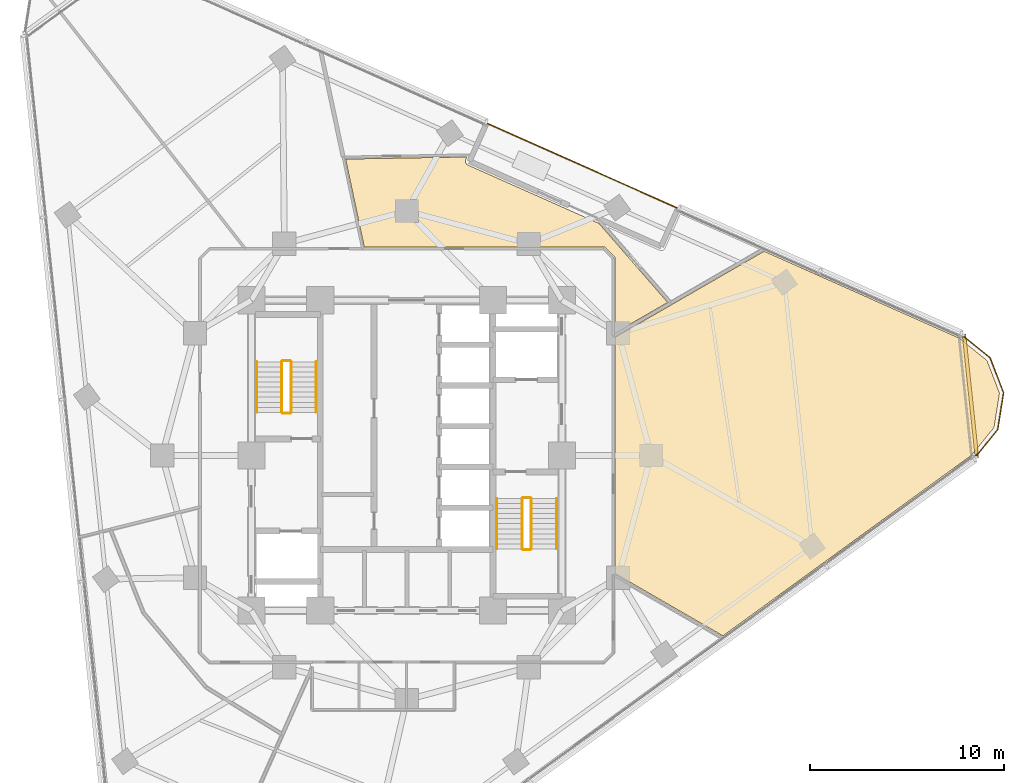
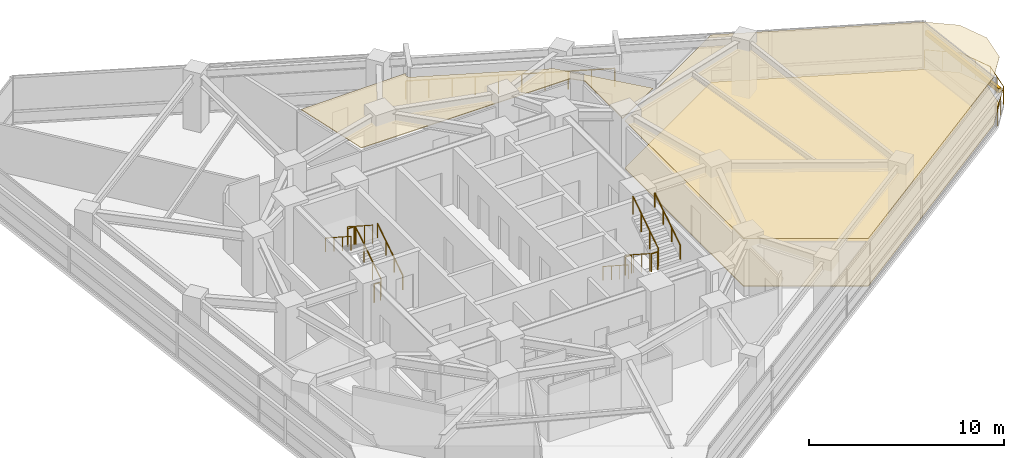
# One storey, part 13 of 14: 14 railings, 3 coverings, 1 shading device.
"""IFC4 building model written with IfcOpenShell, lengths in metres."""

from ifc_helpers import new_model, si_unit, direction, frame, origin, origin_2d, place, context, subcontext, project, spatial, polyline, rectangle, circle, outline, extrude, material, layer, layer_set, type_object, element, save


model = new_model("IFC4")

# Units and contexts
model_context = context("Model", 3, precision=1e-05, world=origin(), true_north=direction((0.0, 1.0)))
body_context = subcontext(model_context, "Body", "Model", "MODEL_VIEW")
ifc_project = project(units=[si_unit("LENGTHUNIT", "METRE"), si_unit("AREAUNIT", "SQUARE_METRE"), si_unit("VOLUMEUNIT", "CUBIC_METRE"), si_unit("PLANEANGLEUNIT", "RADIAN"), si_unit("MASSUNIT", "GRAM", prefix="KILO")], contexts=[model_context])

# Site, building, storey
site_placement = place(None, origin())
site = spatial("IfcSite", under=ifc_project, at=site_placement, CompositionType="ELEMENT")
building_placement = place(site_placement, origin())
building = spatial("IfcBuilding", under=site, at=building_placement, Name="Terralouvre Media Tower", CompositionType="ELEMENT")
storey_placement = place(building_placement, frame((0.0, 0.0, 176.800048828125)))
storey = spatial("IfcBuildingStorey", under=building, at=storey_placement, Name="L45", CompositionType="ELEMENT", Elevation=176.800048828125)

# Coverings
ifc_material_1 = material(Name="Resilient elastomer acoustic broadcast studio flooring")
ifc_layer_1 = layer(ifc_material_1, 0.050048828125, Name="Broadcast Studio Acoustic Floating Floor FL-AC1")
ifc_layer_set_1 = layer_set([ifc_layer_1], Name="Resilient elastomer acoustic broadcast studio flooring")
covering_type_1 = type_object("IfcCoveringType", Name="Broadcast Studio Acoustic Floating Floor FL-AC1", PredefinedType="FLOORING", material=ifc_layer_set_1)
covering_1_placement = place(storey_placement, frame((0.0, 0.0, 0.0), z_axis=(0.0, 0.0, 1.0), x_axis=(0.809016994375, 0.587785252292, 0.0)))
element("IfcCovering", 1, at=covering_1_placement, inside=storey, type_object=covering_type_1, Name="L45 Podcast Editing Creative Workshop 4 Acoustic Floating Floor", PredefinedType="FLOORING", context=body_context, shape_type="SweptSolid", body=[
    extrude(outline(polyline([(21.08984375, -2.31689453125), (15.61767578125, -1.7421875), (12.27734375, -1.390625), (5.116455078125, -11.24658203125), (7.724853515625, -17.105224609375), (23.571044921875, -17.105224609375), (25.335693359375, -16.63232421875), (26.60693359375, -15.36181640625), (27.072509765625, -13.6259765625), (26.598876953125, -11.860595703125), (21.08984375, -2.31689453125)])), origin(), (0.0, 0.0, 1.0), 0.050048828125),
])
ifc_material_2 = material(Name="Perforated aluminium acoustic ceiling baffle", Category="aluminium")
ifc_layer_2 = layer(ifc_material_2, 0.0400390625, Name="Perforated Acoustic Metal Tile Ceiling CL-AC1")
ifc_layer_set_2 = layer_set([ifc_layer_2], Name="Perforated aluminium acoustic ceiling baffle")
covering_type_2 = type_object("IfcCoveringType", Name="Perforated Acoustic Metal Tile Ceiling CL-AC1", PredefinedType="CEILING", material=ifc_layer_set_2)
covering_2_placement = place(storey_placement, frame((0.0, 0.0, 2.97998046875), z_axis=(0.0, 0.0, 1.0), x_axis=(0.809016994375, 0.587785252292, 0.0)))
element("IfcCovering", 2, at=covering_2_placement, inside=storey, type_object=covering_type_2, Name="L45 Podcast Editing Creative Workshop 4 Acoustic Ceiling", PredefinedType="CEILING", context=body_context, shape_type="SweptSolid", body=[
    extrude(outline(polyline([(21.08984375, -2.31689453125), (15.61767578125, -1.7421875), (12.27734375, -1.390625), (5.116455078125, -11.24658203125), (7.724853515625, -17.105224609375), (23.571044921875, -17.105224609375), (25.335693359375, -16.63232421875), (26.60693359375, -15.36181640625), (27.072509765625, -13.6259765625), (26.598876953125, -11.860595703125), (21.08984375, -2.31689453125)])), origin(), (0.0, 0.0, 1.0), 0.0400390625),
])
covering_3_placement = place(storey_placement, frame((0.0, 0.0, 2.97998046875), z_axis=(0.0, 0.0, 1.0), x_axis=(0.809016994375, 0.587785252292, 0.0)))
element("IfcCovering", 3, at=covering_3_placement, inside=storey, type_object=covering_type_2, Name="L45 Barista Coffee Tea Pantry 6 Acoustic Ceiling", PredefinedType="CEILING", context=body_context, shape_type="SweptSolid", body=[
    extrude(outline(polyline([(6.433837890625, 14.2041015625), (4.552490234375, 9.97998046875), (14.5302734375, 2.73095703125), (14.537841796875, 2.724853515625), (14.544921875, 2.718017578125), (14.55126953125, 2.71044921875), (14.556640625, 2.7021484375), (14.561279296875, 2.693603515625), (14.565185546875, 2.6845703125), (14.568115234375, 2.67529296875), (14.570068359375, 2.665771484375), (14.680908203125, 1.96728515625), (14.681884765625, 1.95751953125), (14.681884765625, 1.94775390625), (14.68115234375, 1.93798828125), (14.67919921875, 1.92822265625), (14.676513671875, 1.918701171875), (14.6728515625, 1.90966796875), (14.668212890625, 1.901123046875), (14.662841796875, 1.892822265625), (12.4130859375, -1.203857421875), (15.51806640625, -1.530517578125), (15.047607421875, 3.847900390625), (11.351318359375, 10.248779296875), (11.345947265625, 10.259765625), (11.341552734375, 10.2705078125), (11.3369140625, 10.28125), (11.332763671875, 10.29248046875), (11.32958984375, 10.303466796875), (11.328125, 10.309814453125), (11.325439453125, 10.321533203125), (11.32373046875, 10.333251953125), (11.322509765625, 10.34521484375), (11.322021484375, 10.3544921875), (11.322265625, 10.36376953125), (11.323486328125, 10.37548828125), (11.324462890625, 10.386962890625), (11.325927734375, 10.398193359375), (11.328369140625, 10.41015625), (11.330322265625, 10.417724609375), (11.33349609375, 10.428955078125), (11.33642578125, 10.4375), (11.340087890625, 10.446044921875), (11.34521484375, 10.456298828125), (11.349853515625, 10.465576171875), (11.35400390625, 10.4736328125), (11.35888671875, 10.48095703125), (11.365966796875, 10.49072265625), (11.37109375, 10.497314453125), (11.37890625, 10.50634765625), (11.384765625, 10.512451171875), (11.393310546875, 10.520751953125), (11.40087890625, 10.527587890625), (11.40966796875, 10.53466796875), (11.41650390625, 10.539794921875), (11.426025390625, 10.546142578125), (11.43212890625, 10.550048828125), (11.55322265625, 10.61962890625), (6.433837890625, 14.2041015625)])), origin(), (0.0, 0.0, 1.0), 0.0400390625),
])

# Railings
ifc_material_3 = material(Name="Stainless steel 316 handrail and balustrade", Category="steel")
ifc_layer_3 = layer(ifc_material_3, 0.06005859375, Name="Roof Edge Safety Guardrail GR-ROOF1")
ifc_layer_set_3 = layer_set([ifc_layer_3], Name="Stainless steel 316 handrail and balustrade")
railing_type_1 = type_object("IfcRailingType", Name="Roof Edge Safety Guardrail GR-ROOF1", PredefinedType="GUARDRAIL", material=ifc_layer_set_3)
railing_1_placement = place(storey_placement, frame((13.98974609375, 12.736328125, 0.0)))
element("IfcRailing", 4, at=railing_1_placement, inside=storey, type_object=railing_type_1, Name="L45 SG Outer Edge Glass Balustrade", PredefinedType="GUARDRAIL", context=body_context, shape_type="SweptSolid", body=[
    extrude(circle(Radius=0.02392578125, at=origin_2d()), frame((0.0, 0.0, 1.1259765625), z_axis=(-0.913541943449, 0.406744535991, 0.0), x_axis=(-0.406744535991, -0.913541943449, 0.0)), (0.0, 0.0, 1.0), 10.800048828125),
    extrude(circle(Radius=0.02099609375, at=origin_2d()), origin(), (0.0, 0.0, 1.0), 1.101806640625),
    extrude(circle(Radius=0.02099609375, at=origin_2d()), frame((-1.09619140625, 0.488037109375, 0.0)), (0.0, 0.0, 1.0), 1.101806640625),
    extrude(circle(Radius=0.02099609375, at=origin_2d()), frame((-2.1923828125, 0.97607421875, 0.0)), (0.0, 0.0, 1.0), 1.101806640625),
    extrude(circle(Radius=0.02099609375, at=origin_2d()), frame((-3.288818359375, 1.46435546875, 0.0)), (0.0, 0.0, 1.0), 1.101806640625),
    extrude(circle(Radius=0.02099609375, at=origin_2d()), frame((-4.385009765625, 1.952392578125, 0.0)), (0.0, 0.0, 1.0), 1.101806640625),
    extrude(circle(Radius=0.02099609375, at=origin_2d()), frame((-5.481201171875, 2.4404296875, 0.0)), (0.0, 0.0, 1.0), 1.101806640625),
    extrude(circle(Radius=0.02099609375, at=origin_2d()), frame((-6.577392578125, 2.928466796875, 0.0)), (0.0, 0.0, 1.0), 1.101806640625),
    extrude(circle(Radius=0.02099609375, at=origin_2d()), frame((-7.673828125, 3.416748046875, 0.0)), (0.0, 0.0, 1.0), 1.101806640625),
    extrude(circle(Radius=0.02099609375, at=origin_2d()), frame((-8.77001953125, 3.90478515625, 0.0)), (0.0, 0.0, 1.0), 1.101806640625),
    extrude(circle(Radius=0.02099609375, at=origin_2d()), frame((-9.8662109375, 4.392822265625, 0.0)), (0.0, 0.0, 1.0), 1.101806640625),
])
railing_2_placement = place(storey_placement, frame((29.261474609375, -0.144775390625, 0.0)))
element("IfcRailing", 5, at=railing_2_placement, inside=storey, type_object=railing_type_1, Name="L45 Wind-Corner Perimeter Safety Guardrail C1", PredefinedType="GUARDRAIL", context=body_context, shape_type="SweptSolid", body=[
    extrude(circle(Radius=0.02099609375, at=origin_2d()), frame((0.0, 0.0, 1.12890625), z_axis=(0.629487951206, 0.777010244004, 0.0), x_axis=(-0.777010244004, 0.629487951206, 0.0)), (0.0, 0.0, 1.0), 1.914794921875),
    extrude(circle(Radius=0.02099609375, at=origin_2d()), frame((1.205322265625, 1.48779296875, 1.12890625), z_axis=(0.156493053434, 0.987679059324, 0.0), x_axis=(-0.987679059324, 0.156493053434, 0.0)), (0.0, 0.0, 1.0), 1.914306640625),
    extrude(circle(Radius=0.02099609375, at=origin_2d()), frame((1.5048828125, 3.37841796875, 1.12890625), z_axis=(-0.358380762009, 0.933575508152, 0.0), x_axis=(-0.933575508152, -0.358380762009, 0.0)), (0.0, 0.0, 1.0), 1.914306640625),
    extrude(circle(Radius=0.02099609375, at=origin_2d()), frame((0.81884765625, 5.16552734375, 1.12890625), z_axis=(-0.777298317119, 0.629132200896, 0.0), x_axis=(-0.629132200896, -0.777298317119, 0.0)), (0.0, 0.0, 1.0), 1.914794921875),
    extrude(circle(Radius=0.01904296875, at=origin_2d()), origin(), (0.0, 0.0, 1.0), 1.10791015625),
    extrude(circle(Radius=0.01904296875, at=origin_2d()), frame((0.6025390625, 0.743896484375, 0.0)), (0.0, 0.0, 1.0), 1.10791015625),
    extrude(circle(Radius=0.01904296875, at=origin_2d()), frame((1.205322265625, 1.48779296875, 0.0)), (0.0, 0.0, 1.0), 1.10791015625),
    extrude(circle(Radius=0.01904296875, at=origin_2d()), frame((1.35498046875, 2.43310546875, 0.0)), (0.0, 0.0, 1.0), 1.10791015625),
    extrude(circle(Radius=0.01904296875, at=origin_2d()), frame((1.5048828125, 3.37841796875, 0.0)), (0.0, 0.0, 1.0), 1.10791015625),
    extrude(circle(Radius=0.01904296875, at=origin_2d()), frame((1.161865234375, 4.27197265625, 0.0)), (0.0, 0.0, 1.0), 1.10791015625),
    extrude(circle(Radius=0.01904296875, at=origin_2d()), frame((0.81884765625, 5.16552734375, 0.0)), (0.0, 0.0, 1.0), 1.10791015625),
    extrude(circle(Radius=0.01904296875, at=origin_2d()), frame((0.07470703125, 5.767822265625, 0.0)), (0.0, 0.0, 1.0), 1.10791015625),
    extrude(circle(Radius=0.01904296875, at=origin_2d()), frame((-0.66943359375, 6.3701171875, 0.0)), (0.0, 0.0, 1.0), 1.10791015625),
])
ifc_material_4 = material(Name="Stainless steel 316 handrail and balustrade", Category="steel")
ifc_layer_4 = layer(ifc_material_4, 0.050048828125, Name="Stair Flight Wall Handrail HR-INT1")
ifc_layer_set_4 = layer_set([ifc_layer_4], Name="Stainless steel 316 handrail and balustrade")
railing_type_2 = type_object("IfcRailingType", Name="Stair Flight Wall Handrail HR-INT1", PredefinedType="HANDRAIL", material=ifc_layer_set_4)
railing_3_placement = place(storey_placement, frame((-4.64990234375, 2.219970703125, 0.168212890625)))
element("IfcRailing", 6, at=railing_3_placement, inside=storey, type_object=railing_type_2, Name="L45 ST-01 stair handrail 1", PredefinedType="HANDRAIL", context=body_context, shape_type="SweptSolid", body=[
    extrude(circle(Radius=0.02392578125, at=origin_2d()), frame((0.0, 0.0, 0.8759765625), z_axis=(0.0, 0.839684365666, 0.543074733399), x_axis=(-1.0, 0.0, 0.0)), (0.0, 0.0, 1.0), 3.096435546875),
    extrude(circle(Radius=0.02099609375, at=origin_2d()), origin(), (0.0, 0.0, 1.0), 0.851806640625),
    extrude(circle(Radius=0.02099609375, at=origin_2d()), frame((0.0, 0.86669921875, 0.560546875)), (0.0, 0.0, 1.0), 0.851806640625),
    extrude(circle(Radius=0.02099609375, at=origin_2d()), frame((0.0, 1.7333984375, 1.12109375)), (0.0, 0.0, 1.0), 0.851806640625),
    extrude(circle(Radius=0.02099609375, at=origin_2d()), frame((0.0, 2.60009765625, 1.681640625)), (0.0, 0.0, 1.0), 0.851806640625),
])
railing_4_placement = place(storey_placement, frame((-7.72998046875, 4.820068359375, 2.01806640625)))
element("IfcRailing", 7, at=railing_4_placement, inside=storey, type_object=railing_type_2, Name="L45 ST-01 stair handrail 2", PredefinedType="HANDRAIL", context=body_context, shape_type="SweptSolid", body=[
    extrude(circle(Radius=0.02392578125, at=origin_2d()), frame((0.0, 0.0, 0.8759765625), z_axis=(0.0, -0.839648411786, 0.543130320075), x_axis=(1.0, 0.0, 0.0)), (0.0, 0.0, 1.0), 3.0966796875),
    extrude(circle(Radius=0.02099609375, at=origin_2d()), origin(), (0.0, 0.0, 1.0), 0.851806640625),
    extrude(circle(Radius=0.02099609375, at=origin_2d()), frame((0.0, -0.86669921875, 0.560546875)), (0.0, 0.0, 1.0), 0.851806640625),
    extrude(circle(Radius=0.02099609375, at=origin_2d()), frame((0.0, -1.7333984375, 1.121337890625)), (0.0, 0.0, 1.0), 0.851806640625),
    extrude(circle(Radius=0.02099609375, at=origin_2d()), frame((0.0, -2.60009765625, 1.681884765625)), (0.0, 0.0, 1.0), 0.851806640625),
])
railing_5_placement = place(storey_placement, frame((4.64990234375, -2.219970703125, 0.168212890625)))
element("IfcRailing", 8, at=railing_5_placement, inside=storey, type_object=railing_type_2, Name="L45 ST-02 stair handrail 1", PredefinedType="HANDRAIL", context=body_context, shape_type="SweptSolid", body=[
    extrude(circle(Radius=0.02392578125, at=origin_2d()), frame((0.0, 0.0, 0.8759765625), z_axis=(0.0, -0.839684365666, 0.543074733399), x_axis=(1.0, 0.0, 0.0)), (0.0, 0.0, 1.0), 3.096435546875),
    extrude(circle(Radius=0.02099609375, at=origin_2d()), origin(), (0.0, 0.0, 1.0), 0.851806640625),
    extrude(circle(Radius=0.02099609375, at=origin_2d()), frame((0.0, -0.86669921875, 0.560546875)), (0.0, 0.0, 1.0), 0.851806640625),
    extrude(circle(Radius=0.02099609375, at=origin_2d()), frame((0.0, -1.7333984375, 1.12109375)), (0.0, 0.0, 1.0), 0.851806640625),
    extrude(circle(Radius=0.02099609375, at=origin_2d()), frame((0.0, -2.60009765625, 1.681640625)), (0.0, 0.0, 1.0), 0.851806640625),
])
railing_6_placement = place(storey_placement, frame((7.72998046875, -4.820068359375, 2.01806640625)))
element("IfcRailing", 9, at=railing_6_placement, inside=storey, type_object=railing_type_2, Name="L45 ST-02 stair handrail 2", PredefinedType="HANDRAIL", context=body_context, shape_type="SweptSolid", body=[
    extrude(circle(Radius=0.02392578125, at=origin_2d()), frame((0.0, 0.0, 0.8759765625), z_axis=(0.0, 0.839648411786, 0.543130320075), x_axis=(-1.0, 0.0, 0.0)), (0.0, 0.0, 1.0), 3.0966796875),
    extrude(circle(Radius=0.02099609375, at=origin_2d()), origin(), (0.0, 0.0, 1.0), 0.851806640625),
    extrude(circle(Radius=0.02099609375, at=origin_2d()), frame((0.0, 0.86669921875, 0.560546875)), (0.0, 0.0, 1.0), 0.851806640625),
    extrude(circle(Radius=0.02099609375, at=origin_2d()), frame((0.0, 1.7333984375, 1.121337890625)), (0.0, 0.0, 1.0), 0.851806640625),
    extrude(circle(Radius=0.02099609375, at=origin_2d()), frame((0.0, 2.60009765625, 1.681884765625)), (0.0, 0.0, 1.0), 0.851806640625),
])
ifc_material_5 = material(Name="Stainless steel 316 handrail and balustrade", Category="steel")
ifc_layer_5 = layer(ifc_material_5, 0.050048828125, Name="Stairwell Safety Guardrail GR-INT1")
ifc_layer_set_5 = layer_set([ifc_layer_5], Name="Stainless steel 316 handrail and balustrade")
railing_type_3 = type_object("IfcRailingType", Name="Stairwell Safety Guardrail GR-INT1", PredefinedType="GUARDRAIL", material=ifc_layer_set_5)
railing_7_placement = place(storey_placement, frame((-5.949951171875, 2.219970703125, 0.168212890625)))
element("IfcRailing", 10, at=railing_7_placement, inside=storey, type_object=railing_type_3, Name="L45 ST-01 stair guard 1", PredefinedType="GUARDRAIL", context=body_context, shape_type="SweptSolid", body=[
    extrude(circle(Radius=0.02392578125, at=origin_2d()), frame((0.0, 0.0, 1.1259765625), z_axis=(0.0, 0.839684365666, 0.543074733399), x_axis=(-1.0, 0.0, 0.0)), (0.0, 0.0, 1.0), 3.096435546875),
    extrude(circle(Radius=0.02099609375, at=origin_2d()), origin(), (0.0, 0.0, 1.0), 1.101806640625),
    extrude(circle(Radius=0.02099609375, at=origin_2d()), frame((0.0, 0.86669921875, 0.560546875)), (0.0, 0.0, 1.0), 1.101806640625),
    extrude(circle(Radius=0.02099609375, at=origin_2d()), frame((0.0, 1.7333984375, 1.12109375)), (0.0, 0.0, 1.0), 1.101806640625),
    extrude(circle(Radius=0.02099609375, at=origin_2d()), frame((0.0, 2.60009765625, 1.681640625)), (0.0, 0.0, 1.0), 1.101806640625),
])
railing_8_placement = place(storey_placement, frame((-6.0, 4.8701171875, 1.849853515625)))
element("IfcRailing", 11, at=railing_8_placement, inside=storey, type_object=railing_type_3, Name="L45 ST-01 stair guard 2", PredefinedType="GUARDRAIL", context=body_context, shape_type="SweptSolid", body=[
    extrude(circle(Radius=0.02392578125, at=origin_2d()), frame((0.0, 0.0, 1.1259765625), z_axis=(-1.0, 0.0, 0.0), x_axis=(0.0, -1.0, 0.0)), (0.0, 0.0, 1.0), 0.3798828125),
    extrude(circle(Radius=0.02099609375, at=origin_2d()), origin(), (0.0, 0.0, 1.0), 1.101806640625),
    extrude(circle(Radius=0.02099609375, at=origin_2d()), frame((-0.3798828125, 0.0, 0.0)), (0.0, 0.0, 1.0), 1.101806640625),
])
railing_9_placement = place(storey_placement, frame((-6.429931640625, 4.820068359375, 2.01806640625)))
element("IfcRailing", 12, at=railing_9_placement, inside=storey, type_object=railing_type_3, Name="L45 ST-01 stair guard 3", PredefinedType="GUARDRAIL", context=body_context, shape_type="SweptSolid", body=[
    extrude(circle(Radius=0.02392578125, at=origin_2d()), frame((0.0, 0.0, 1.1259765625), z_axis=(0.0, -0.839648411786, 0.543130320075), x_axis=(1.0, 0.0, 0.0)), (0.0, 0.0, 1.0), 3.0966796875),
    extrude(circle(Radius=0.02099609375, at=origin_2d()), origin(), (0.0, 0.0, 1.0), 1.101806640625),
    extrude(circle(Radius=0.02099609375, at=origin_2d()), frame((0.0, -0.86669921875, 0.560546875)), (0.0, 0.0, 1.0), 1.101806640625),
    extrude(circle(Radius=0.02099609375, at=origin_2d()), frame((0.0, -1.7333984375, 1.121337890625)), (0.0, 0.0, 1.0), 1.101806640625),
    extrude(circle(Radius=0.02099609375, at=origin_2d()), frame((0.0, -2.60009765625, 1.681884765625)), (0.0, 0.0, 1.0), 1.101806640625),
])
railing_10_placement = place(storey_placement, frame((-6.0, 2.169921875, 0.0)))
element("IfcRailing", 13, at=railing_10_placement, inside=storey, type_object=railing_type_3, Name="L45 ST-01 stair guard 4", PredefinedType="GUARDRAIL", context=body_context, shape_type="SweptSolid", body=[
    extrude(circle(Radius=0.02392578125, at=origin_2d()), frame((0.0, 0.0, 1.1259765625), z_axis=(-1.0, 0.0, 0.0), x_axis=(0.0, -1.0, 0.0)), (0.0, 0.0, 1.0), 0.3798828125),
    extrude(circle(Radius=0.02099609375, at=origin_2d()), origin(), (0.0, 0.0, 1.0), 1.101806640625),
    extrude(circle(Radius=0.02099609375, at=origin_2d()), frame((-0.3798828125, 0.0, 0.0)), (0.0, 0.0, 1.0), 1.101806640625),
])
railing_11_placement = place(storey_placement, frame((5.949951171875, -2.219970703125, 0.168212890625)))
element("IfcRailing", 14, at=railing_11_placement, inside=storey, type_object=railing_type_3, Name="L45 ST-02 stair guard 1", PredefinedType="GUARDRAIL", context=body_context, shape_type="SweptSolid", body=[
    extrude(circle(Radius=0.02392578125, at=origin_2d()), frame((0.0, 0.0, 1.1259765625), z_axis=(0.0, -0.839684365666, 0.543074733399), x_axis=(1.0, 0.0, 0.0)), (0.0, 0.0, 1.0), 3.096435546875),
    extrude(circle(Radius=0.02099609375, at=origin_2d()), origin(), (0.0, 0.0, 1.0), 1.101806640625),
    extrude(circle(Radius=0.02099609375, at=origin_2d()), frame((0.0, -0.86669921875, 0.560546875)), (0.0, 0.0, 1.0), 1.101806640625),
    extrude(circle(Radius=0.02099609375, at=origin_2d()), frame((0.0, -1.7333984375, 1.12109375)), (0.0, 0.0, 1.0), 1.101806640625),
    extrude(circle(Radius=0.02099609375, at=origin_2d()), frame((0.0, -2.60009765625, 1.681640625)), (0.0, 0.0, 1.0), 1.101806640625),
])
railing_12_placement = place(storey_placement, frame((6.0, -4.8701171875, 1.849853515625)))
element("IfcRailing", 15, at=railing_12_placement, inside=storey, type_object=railing_type_3, Name="L45 ST-02 stair guard 2", PredefinedType="GUARDRAIL", context=body_context, shape_type="SweptSolid", body=[
    extrude(circle(Radius=0.02392578125, at=origin_2d()), frame((0.0, 0.0, 1.1259765625), z_axis=(1.0, 0.0, 0.0), x_axis=(0.0, 1.0, 0.0)), (0.0, 0.0, 1.0), 0.3798828125),
    extrude(circle(Radius=0.02099609375, at=origin_2d()), origin(), (0.0, 0.0, 1.0), 1.101806640625),
    extrude(circle(Radius=0.02099609375, at=origin_2d()), frame((0.3798828125, 0.0, 0.0)), (0.0, 0.0, 1.0), 1.101806640625),
])
railing_13_placement = place(storey_placement, frame((6.429931640625, -4.820068359375, 2.01806640625)))
element("IfcRailing", 16, at=railing_13_placement, inside=storey, type_object=railing_type_3, Name="L45 ST-02 stair guard 3", PredefinedType="GUARDRAIL", context=body_context, shape_type="SweptSolid", body=[
    extrude(circle(Radius=0.02392578125, at=origin_2d()), frame((0.0, 0.0, 1.1259765625), z_axis=(0.0, 0.839648411786, 0.543130320075), x_axis=(-1.0, 0.0, 0.0)), (0.0, 0.0, 1.0), 3.0966796875),
    extrude(circle(Radius=0.02099609375, at=origin_2d()), origin(), (0.0, 0.0, 1.0), 1.101806640625),
    extrude(circle(Radius=0.02099609375, at=origin_2d()), frame((0.0, 0.86669921875, 0.560546875)), (0.0, 0.0, 1.0), 1.101806640625),
    extrude(circle(Radius=0.02099609375, at=origin_2d()), frame((0.0, 1.7333984375, 1.121337890625)), (0.0, 0.0, 1.0), 1.101806640625),
    extrude(circle(Radius=0.02099609375, at=origin_2d()), frame((0.0, 2.60009765625, 1.681884765625)), (0.0, 0.0, 1.0), 1.101806640625),
])
railing_14_placement = place(storey_placement, frame((6.0, -2.169921875, 0.0)))
element("IfcRailing", 17, at=railing_14_placement, inside=storey, type_object=railing_type_3, Name="L45 ST-02 stair guard 4", PredefinedType="GUARDRAIL", context=body_context, shape_type="SweptSolid", body=[
    extrude(circle(Radius=0.02392578125, at=origin_2d()), frame((0.0, 0.0, 1.1259765625), z_axis=(1.0, 0.0, 0.0), x_axis=(0.0, 1.0, 0.0)), (0.0, 0.0, 1.0), 0.3798828125),
    extrude(circle(Radius=0.02099609375, at=origin_2d()), origin(), (0.0, 0.0, 1.0), 1.101806640625),
    extrude(circle(Radius=0.02099609375, at=origin_2d()), frame((0.3798828125, 0.0, 0.0)), (0.0, 0.0, 1.0), 1.101806640625),
])

# Shading device
ifc_material_6 = material(Name="Extruded terracotta baguette sunshade louvres", Category="masonry")
shading_device_type = type_object("IfcShadingDeviceType", Name="Terracotta Baguette Sunshade Louvre Screen TB-LV1", PredefinedType="USERDEFINED", material=ifc_material_6)
shading_device_placement = place(storey_placement, frame((29.060791015625, 3.054443359375, 2.02392578125), z_axis=(0.0, 0.0, 1.0), x_axis=(-0.10452850319, 0.994521891172, 0.0)))
element("IfcShadingDevice", 18, at=shading_device_placement, inside=storey, type_object=shading_device_type, Name="CW-L45-C1 Terracotta Baguette Sunshade Louvre", ObjectType="BAGUETTE", PredefinedType="USERDEFINED", context=body_context, shape_type="SweptSolid", body=[
    extrude(rectangle(XDim=6.40869140625, YDim=0.179931640625, at=origin_2d()), origin(), (0.0, 0.0, 1.0), 0.280029296875),
])

save(model, "model.ifc")
